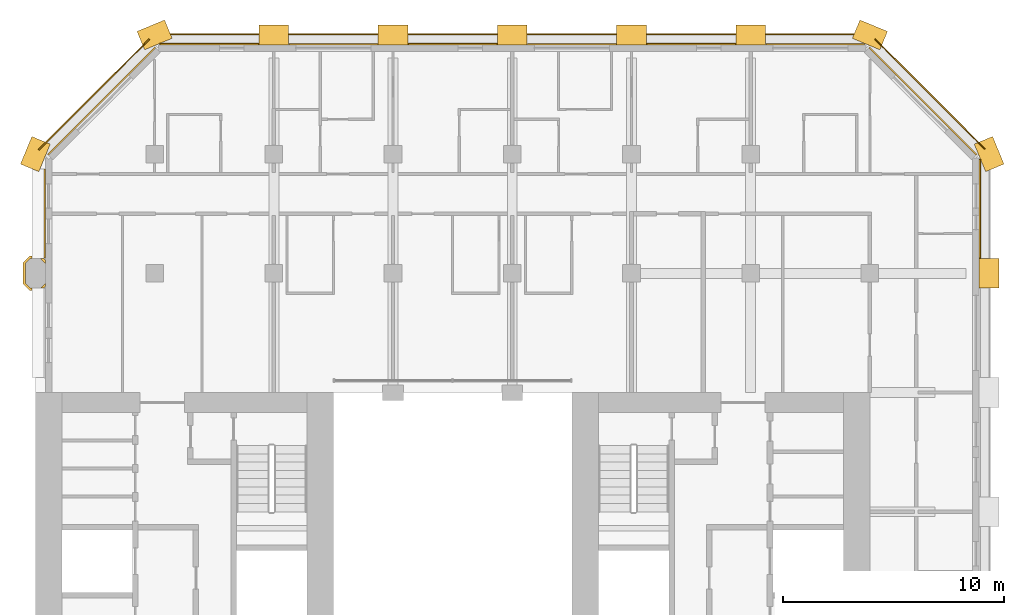
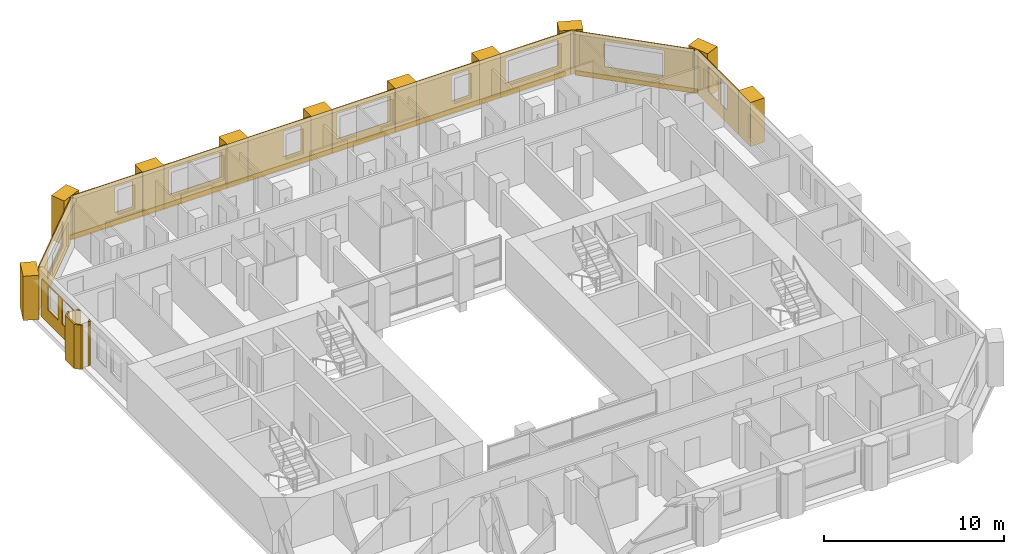
# One storey, part 13 of 13: 26 coverings.
"""IFC4 building model written with IfcOpenShell, lengths in metres."""

from ifc_helpers import new_model, si_unit, direction, frame, frame_2d, origin, place, context, subcontext, project, spatial, polyline, rectangle, outline, extrude, material, layer, layer_set, type_object, element, save


model = new_model("IFC4")

# Units and contexts
model_context = context("Model", 3, precision=1e-05, world=origin(), true_north=direction((0.0, 1.0)))
body_context = subcontext(model_context, "Body", "Model", "MODEL_VIEW")
ifc_project = project(units=[si_unit("LENGTHUNIT", "METRE"), si_unit("AREAUNIT", "SQUARE_METRE"), si_unit("VOLUMEUNIT", "CUBIC_METRE"), si_unit("PLANEANGLEUNIT", "RADIAN"), si_unit("MASSUNIT", "GRAM", prefix="KILO")], contexts=[model_context])

# Site, building, storey
site_placement = place(None, origin())
site = spatial("IfcSite", under=ifc_project, at=site_placement, CompositionType="ELEMENT")
building_placement = place(site_placement, origin())
building = spatial("IfcBuilding", under=site, at=building_placement, Name="Tabaq Tower and Sports Hall", CompositionType="ELEMENT")
storey_placement = place(building_placement, frame((0.0, 0.0, 200.5)))
storey = spatial("IfcBuildingStorey", under=building, at=storey_placement, Name="L49", CompositionType="ELEMENT", Elevation=200.5)

# Coverings
ifc_material_1 = material(Name="Precast concrete C60/75", Category="concrete")
ifc_layer_1 = layer(ifc_material_1, 0.10009765625)
ifc_layer_set_1 = layer_set([ifc_layer_1], Name="Column cladding 100")
covering_type_1 = type_object("IfcCoveringType", Name="Column cladding 100", PredefinedType="CLADDING", material=ifc_layer_set_1)
covering_1_placement = place(storey_placement, origin())
element("IfcCovering", 1, at=covering_1_placement, inside=storey, type_object=covering_type_1, Name="Column cladding L49 PC-2H-H2", PredefinedType="CLADDING", context=body_context, shape_type="SweptSolid", body=[
    extrude(outline(polyline([(5.1337890625, 37.025634765625), (4.8505859375, 37.308837890625), (4.8505859375, 38.291259765625), (5.1337890625, 38.574462890625), (5.24951171875, 38.574462890625), (5.24951171875, 38.4755859375), (5.1748046875, 38.4755859375), (4.949462890625, 38.250244140625), (4.949462890625, 37.349853515625), (5.1748046875, 37.12451171875), (5.24951171875, 37.12451171875), (5.24951171875, 37.025634765625), (5.1337890625, 37.025634765625)])), origin(), (0.0, 0.0, 1.0), 3.0),
])
covering_2_placement = place(storey_placement, origin())
element("IfcCovering", 2, at=covering_2_placement, inside=storey, type_object=covering_type_1, Name="Column cladding L49 PC-2H-H2 2", PredefinedType="CLADDING", context=body_context, shape_type="SweptSolid", body=[
    extrude(outline(polyline([(5.766357421875, 37.125244140625), (5.625732421875, 37.125244140625), (5.849609375, 37.349365234375), (5.849609375, 37.208740234375), (5.766357421875, 37.125244140625)])), origin(), (0.0, 0.0, 1.0), 3.0),
])
covering_3_placement = place(storey_placement, origin())
element("IfcCovering", 3, at=covering_3_placement, inside=storey, type_object=covering_type_1, Name="Column cladding L49 PC-2H-H2 3", PredefinedType="CLADDING", context=body_context, shape_type="SweptSolid", body=[
    extrude(outline(polyline([(5.62646484375, 38.474365234375), (5.76611328125, 38.474365234375), (5.849365234375, 38.39111328125), (5.849365234375, 38.25146484375), (5.62646484375, 38.474365234375)])), origin(), (0.0, 0.0, 1.0), 3.0),
])
ifc_material_2 = material(Name="Precast concrete C60/75", Category="concrete")
ifc_layer_2 = layer(ifc_material_2, 0.06005859375)
ifc_layer_set_2 = layer_set([ifc_layer_2], Name="Edge beam cladding 60")
covering_type_2 = type_object("IfcCoveringType", Name="Edge beam cladding 60", PredefinedType="CLADDING", material=ifc_layer_set_2)
covering_4_placement = place(storey_placement, frame((48.41015625, 43.432373046875, -0.300048828125), z_axis=(0.0, 0.0, 1.0), x_axis=(-0.707106781187, 0.707106781187, 0.0)))
element("IfcCovering", 4, at=covering_4_placement, inside=storey, type_object=covering_type_2, Name="Edge beam cladding L49 3", PredefinedType="CLADDING", context=body_context, shape_type="SweptSolid", body=[
    extrude(rectangle(XDim=7.03955078125, YDim=0.06005859375, at=frame_2d((3.519775390625, 0.0))), origin(), (0.0, 0.0, 1.0), 0.300048828125),
])
covering_5_placement = place(storey_placement, frame((42.9013671875, 48.6298828125, -0.300048828125), z_axis=(0.0, 0.0, 1.0), x_axis=(-1.0, 0.0, 0.0)))
element("IfcCovering", 5, at=covering_5_placement, inside=storey, type_object=covering_type_2, Name="Edge beam cladding L49 4", PredefinedType="CLADDING", context=body_context, shape_type="SweptSolid", body=[
    extrude(rectangle(XDim=31.802734375, YDim=0.06005859375, at=frame_2d((15.9013671875, 0.0))), origin(), (0.0, 0.0, 1.0), 0.300048828125),
])
covering_6_placement = place(storey_placement, frame((10.567626953125, 48.41015625, -0.300048828125), z_axis=(0.0, 0.0, 1.0), x_axis=(-0.707089559252, -0.707124002701, 0.0)))
element("IfcCovering", 6, at=covering_6_placement, inside=storey, type_object=covering_type_2, Name="Edge beam cladding L49 5", PredefinedType="CLADDING", context=body_context, shape_type="SweptSolid", body=[
    extrude(rectangle(XDim=7.088134765625, YDim=0.06005859375, at=frame_2d((3.5439453125, 0.0))), origin(), (0.0, 0.0, 1.0), 0.300048828125),
])
ifc_material_3 = material(Name="White precast concrete C60/75", Category="concrete")
covering_type_3 = type_object("IfcCoveringType", Name="Pier cladding hung 1350x900", PredefinedType="CLADDING", material=ifc_material_3)
for number, where, z_axis, x_axis, name in (
    (7, (5.658203125, 43.82373046875, 0.0), (0.0, 0.0, 1.0), (-0.382649923473, -0.923893411637, 0.0), "Hung pier cladding 1/8"),
    (8, (11.423583984375, 48.8583984375, 0.0), (0.0, 0.0, 1.0), (-0.923893411637, -0.382649923473, 0.0), "Hung pier cladding 2/9"),
    (9, (16.875, 48.60009765625, 0.0), (0.0, 0.0, 1.0), (-1.0, 0.0, 0.0), "Hung pier cladding 3/9"),
):
    element("IfcCovering", number, at=place(storey_placement, frame(where, z_axis=z_axis, x_axis=x_axis)), inside=storey, type_object=covering_type_3, Name=name, PredefinedType="CLADDING", context=body_context, shape_type="SweptSolid", body=[
        extrude(rectangle(XDim=1.35009765625, YDim=0.89990234375, at=frame_2d((0.675048828125, 0.0))), origin(), (0.0, 0.0, 1.0), 3.0),
    ])
covering_7_placement = place(storey_placement, frame((22.27490234375, 48.60009765625, 0.0), z_axis=(0.0, 0.0, 1.0), x_axis=(-1.0, 0.0, 0.0)))
element("IfcCovering", 10, at=covering_7_placement, inside=storey, type_object=covering_type_3, Name="Hung pier cladding 4/9", PredefinedType="CLADDING", context=body_context, shape_type="SweptSolid", body=[
    extrude(rectangle(XDim=1.349853515625, YDim=0.89990234375, at=frame_2d((0.6748046875, 0.0))), origin(), (0.0, 0.0, 1.0), 3.0),
])
covering_8_placement = place(storey_placement, frame((27.675048828125, 48.60009765625, 0.0), z_axis=(0.0, 0.0, 1.0), x_axis=(-1.0, 0.0, 0.0)))
element("IfcCovering", 11, at=covering_8_placement, inside=storey, type_object=covering_type_3, Name="Hung pier cladding 5/9", PredefinedType="CLADDING", context=body_context, shape_type="SweptSolid", body=[
    extrude(rectangle(XDim=1.35009765625, YDim=0.89990234375, at=frame_2d((0.675048828125, 0.0))), origin(), (0.0, 0.0, 1.0), 3.0),
])
covering_9_placement = place(storey_placement, frame((33.074951171875, 48.60009765625, 0.0), z_axis=(0.0, 0.0, 1.0), x_axis=(-1.0, 0.0, 0.0)))
element("IfcCovering", 12, at=covering_9_placement, inside=storey, type_object=covering_type_3, Name="Hung pier cladding 6/9", PredefinedType="CLADDING", context=body_context, shape_type="SweptSolid", body=[
    extrude(rectangle(XDim=1.349853515625, YDim=0.89990234375, at=frame_2d((0.6748046875, 0.0))), origin(), (0.0, 0.0, 1.0), 3.0),
])
for number, where, z_axis, x_axis, name in (
    (13, (38.47509765625, 48.60009765625, 0.0), (0.0, 0.0, 1.0), (-1.0, 0.0, 0.0), "Hung pier cladding 7/9"),
    (14, (43.82373046875, 48.341796875, 0.0), (0.0, 0.0, 1.0), (-0.923893411637, 0.382649923473, 0.0), "Hung pier cladding 8/9"),
    (15, (48.60009765625, 37.125, 0.0), (0.0, 0.0, 1.0), (0.0, 1.0, 0.0), "Hung pier cladding 9/7"),
    (16, (48.8583984375, 42.576416015625, 0.0), (0.0, 0.0, 1.0), (-0.382649923473, 0.923893411637, 0.0), "Hung pier cladding 9/8"),
):
    element("IfcCovering", number, at=place(storey_placement, frame(where, z_axis=z_axis, x_axis=x_axis)), inside=storey, type_object=covering_type_3, Name=name, PredefinedType="CLADDING", context=body_context, shape_type="SweptSolid", body=[
        extrude(rectangle(XDim=1.35009765625, YDim=0.89990234375, at=frame_2d((0.675048828125, 0.0))), origin(), (0.0, 0.0, 1.0), 3.0),
    ])
ifc_material_4 = material(Name="Precast concrete C60/75", Category="concrete")
ifc_layer_3 = layer(ifc_material_4, 0.06005859375)
ifc_layer_set_3 = layer_set([ifc_layer_3], Name="White precast cladding panel 60 C60/75")
covering_type_4 = type_object("IfcCoveringType", Name="White precast cladding panel 60 C60/75", PredefinedType="CLADDING", material=ifc_layer_set_3)
covering_10_placement = place(storey_placement, frame((48.179931640625, 38.485107421875, 0.0), z_axis=(0.0, 0.0, 1.0), x_axis=(0.0, 1.0, 0.0)))
element("IfcCovering", 17, at=covering_10_placement, inside=storey, type_object=covering_type_4, Name="White precast cladding panel L49 wall02 6", PredefinedType="CLADDING", context=body_context, shape_type="SweptSolid", body=[
    extrude(outline(polyline([(0.0, 0.0), (4.4716796875, 0.0), (4.4716796875, 3.0), (0.0, 3.0), (0.0, 0.0)]), holes=[polyline([(1.280029296875, 2.610107421875), (1.949951171875, 2.610107421875), (1.949951171875, 0.889892578125), (1.280029296875, 0.889892578125), (1.280029296875, 2.610107421875)]), polyline([(2.2548828125, 2.610107421875), (3.375, 2.610107421875), (3.375, 0.889892578125), (2.2548828125, 0.889892578125), (2.2548828125, 2.610107421875)])]), frame((0.0, 0.030029296875, 0.0), z_axis=(0.0, -1.0, 0.0), x_axis=(1.0, 0.0, 0.0)), (0.0, 0.0, 1.0), 0.06005859375),
])
covering_11_placement = place(storey_placement, frame((48.0283203125, 43.177734375, 0.0), z_axis=(0.0, 0.0, 1.0), x_axis=(-0.707106781187, 0.707106781187, 0.0)))
element("IfcCovering", 18, at=covering_11_placement, inside=storey, type_object=covering_type_4, Name="White precast cladding panel L49 wall03", PredefinedType="CLADDING", context=body_context, shape_type="SweptSolid", body=[
    extrude(outline(polyline([(0.0, 0.0), (6.85986328125, 0.0), (6.85986328125, 3.0), (0.0, 3.0), (0.0, 0.0)]), holes=[polyline([(1.7197265625, 0.889892578125), (1.7197265625, 2.610107421875), (5.139892578125, 2.610107421875), (5.139892578125, 0.889892578125), (1.7197265625, 0.889892578125)])]), frame((0.0, 0.030029296875, 0.0), z_axis=(0.0, -1.0, 0.0), x_axis=(1.0, 0.0, 0.0)), (0.0, 0.0, 1.0), 0.06005859375),
])
covering_12_placement = place(storey_placement, frame((42.956787109375, 48.179931640625, 0.0), z_axis=(0.0, 0.0, 1.0), x_axis=(-1.0, 0.0, 0.0)))
element("IfcCovering", 19, at=covering_12_placement, inside=storey, type_object=covering_type_4, Name="White precast cladding panel L49 wall04", PredefinedType="CLADDING", context=body_context, shape_type="SweptSolid", body=[
    extrude(outline(polyline([(0.0, 0.0), (4.4716796875, 0.0), (4.4716796875, 3.0), (0.0, 3.0), (0.0, 0.0)]), holes=[polyline([(0.746826171875, 0.889892578125), (0.746826171875, 2.610107421875), (4.166748046875, 2.610107421875), (4.166748046875, 0.889892578125), (0.746826171875, 0.889892578125)])]), frame((0.0, 0.030029296875, 0.0), z_axis=(0.0, -1.0, 0.0), x_axis=(1.0, 0.0, 0.0)), (0.0, 0.0, 1.0), 0.06005859375),
])
covering_13_placement = place(storey_placement, frame((37.114990234375, 48.179931640625, 0.0), z_axis=(0.0, 0.0, 1.0), x_axis=(-1.0, 0.0, 0.0)))
element("IfcCovering", 20, at=covering_13_placement, inside=storey, type_object=covering_type_4, Name="White precast cladding panel L49 wall04 2", PredefinedType="CLADDING", context=body_context, shape_type="SweptSolid", body=[
    extrude(outline(polyline([(0.0, 0.0), (4.030029296875, 0.0), (4.030029296875, 3.0), (0.0, 3.0), (0.0, 0.0)]), holes=[polyline([(0.655029296875, 0.889892578125), (0.655029296875, 2.610107421875), (1.77490234375, 2.610107421875), (1.77490234375, 0.889892578125), (0.655029296875, 0.889892578125)])]), frame((0.0, 0.030029296875, 0.0), z_axis=(0.0, -1.0, 0.0), x_axis=(1.0, 0.0, 0.0)), (0.0, 0.0, 1.0), 0.06005859375),
])
covering_14_placement = place(storey_placement, frame((31.715087890625, 48.179931640625, 0.0), z_axis=(0.0, 0.0, 1.0), x_axis=(-1.0, 0.0, 0.0)))
element("IfcCovering", 21, at=covering_14_placement, inside=storey, type_object=covering_type_4, Name="White precast cladding panel L49 wall04 3", PredefinedType="CLADDING", context=body_context, shape_type="SweptSolid", body=[
    extrude(outline(polyline([(0.0, 0.0), (4.030029296875, 0.0), (4.030029296875, 3.0), (0.0, 3.0), (0.0, 0.0)]), holes=[polyline([(0.304931640625, 0.889892578125), (0.304931640625, 2.610107421875), (3.72509765625, 2.610107421875), (3.72509765625, 0.889892578125), (0.304931640625, 0.889892578125)])]), frame((0.0, 0.030029296875, 0.0), z_axis=(0.0, -1.0, 0.0), x_axis=(1.0, 0.0, 0.0)), (0.0, 0.0, 1.0), 0.06005859375),
])
covering_15_placement = place(storey_placement, frame((26.31494140625, 48.179931640625, 0.0), z_axis=(0.0, 0.0, 1.0), x_axis=(-1.0, 0.0, 0.0)))
element("IfcCovering", 22, at=covering_15_placement, inside=storey, type_object=covering_type_4, Name="White precast cladding panel L49 wall04 4", PredefinedType="CLADDING", context=body_context, shape_type="SweptSolid", body=[
    extrude(outline(polyline([(0.0, 0.0), (4.030029296875, 0.0), (4.030029296875, 3.0), (0.0, 3.0), (0.0, 0.0)]), holes=[polyline([(0.655029296875, 0.889892578125), (0.655029296875, 2.610107421875), (1.77490234375, 2.610107421875), (1.77490234375, 0.889892578125), (0.655029296875, 0.889892578125)])]), frame((0.0, 0.030029296875, 0.0), z_axis=(0.0, -1.0, 0.0), x_axis=(1.0, 0.0, 0.0)), (0.0, 0.0, 1.0), 0.06005859375),
])
covering_16_placement = place(storey_placement, frame((20.9150390625, 48.179931640625, 0.0), z_axis=(0.0, 0.0, 1.0), x_axis=(-1.0, 0.0, 0.0)))
element("IfcCovering", 23, at=covering_16_placement, inside=storey, type_object=covering_type_4, Name="White precast cladding panel L49 wall04 5", PredefinedType="CLADDING", context=body_context, shape_type="SweptSolid", body=[
    extrude(outline(polyline([(0.0, 0.0), (4.030029296875, 0.0), (4.030029296875, 3.0), (0.0, 3.0), (0.0, 0.0)]), holes=[polyline([(0.304931640625, 0.889892578125), (0.304931640625, 2.610107421875), (3.72509765625, 2.610107421875), (3.72509765625, 0.889892578125), (0.304931640625, 0.889892578125)])]), frame((0.0, 0.030029296875, 0.0), z_axis=(0.0, -1.0, 0.0), x_axis=(1.0, 0.0, 0.0)), (0.0, 0.0, 1.0), 0.06005859375),
])
covering_17_placement = place(storey_placement, frame((15.514892578125, 48.179931640625, 0.0), z_axis=(0.0, 0.0, 1.0), x_axis=(-1.0, 0.0, 0.0)))
element("IfcCovering", 24, at=covering_17_placement, inside=storey, type_object=covering_type_4, Name="White precast cladding panel L49 wall04 6", PredefinedType="CLADDING", context=body_context, shape_type="SweptSolid", body=[
    extrude(outline(polyline([(0.0, 0.0), (4.4716796875, 0.0), (4.4716796875, 3.0), (0.0, 3.0), (0.0, 0.0)]), holes=[polyline([(0.655029296875, 0.889892578125), (0.655029296875, 2.610107421875), (1.77490234375, 2.610107421875), (1.77490234375, 0.889892578125), (0.655029296875, 0.889892578125)])]), frame((0.0, 0.030029296875, 0.0), z_axis=(0.0, -1.0, 0.0), x_axis=(1.0, 0.0, 0.0)), (0.0, 0.0, 1.0), 0.06005859375),
])
covering_18_placement = place(storey_placement, frame((10.822265625, 48.0283203125, 0.0), z_axis=(0.0, 0.0, 1.0), x_axis=(-0.707106781187, -0.707106781187, 0.0)))
element("IfcCovering", 25, at=covering_18_placement, inside=storey, type_object=covering_type_4, Name="White precast cladding panel L49 wall05", PredefinedType="CLADDING", context=body_context, shape_type="SweptSolid", body=[
    extrude(outline(polyline([(0.0, 0.0), (6.85986328125, 0.0), (6.85986328125, 3.0), (0.0, 3.0), (0.0, 0.0)]), holes=[polyline([(1.7197265625, 0.889892578125), (1.7197265625, 2.610107421875), (5.139892578125, 2.610107421875), (5.139892578125, 0.889892578125), (1.7197265625, 0.889892578125)])]), frame((0.0, 0.030029296875, 0.0), z_axis=(0.0, -1.0, 0.0), x_axis=(1.0, 0.0, 0.0)), (0.0, 0.0, 1.0), 0.06005859375),
])
covering_19_placement = place(storey_placement, frame((5.820068359375, 42.534912109375, 0.0), z_axis=(0.0, 0.0, 1.0), x_axis=(0.0, -1.0, 0.0)))
element("IfcCovering", 26, at=covering_19_placement, inside=storey, type_object=covering_type_4, Name="White precast cladding panel L49 wall06", PredefinedType="CLADDING", context=body_context, shape_type="SweptSolid", body=[
    extrude(outline(polyline([(0.0, 0.0), (4.0498046875, 0.0), (4.0498046875, 2.590087890625), (0.0, 2.590087890625), (0.0, 0.0)]), holes=[polyline([(0.675048828125, 0.889892578125), (0.675048828125, 2.56005859375), (1.794921875, 2.56005859375), (1.794921875, 0.889892578125), (0.675048828125, 0.889892578125)]), polyline([(2.27490234375, 0.889892578125), (2.27490234375, 2.56005859375), (3.39501953125, 2.56005859375), (3.39501953125, 0.889892578125), (2.27490234375, 0.889892578125)])]), frame((0.0, 0.030029296875, 0.0), z_axis=(0.0, -1.0, 0.0), x_axis=(1.0, 0.0, 0.0)), (0.0, 0.0, 1.0), 0.06005859375),
])

save(model, "model.ifc")
